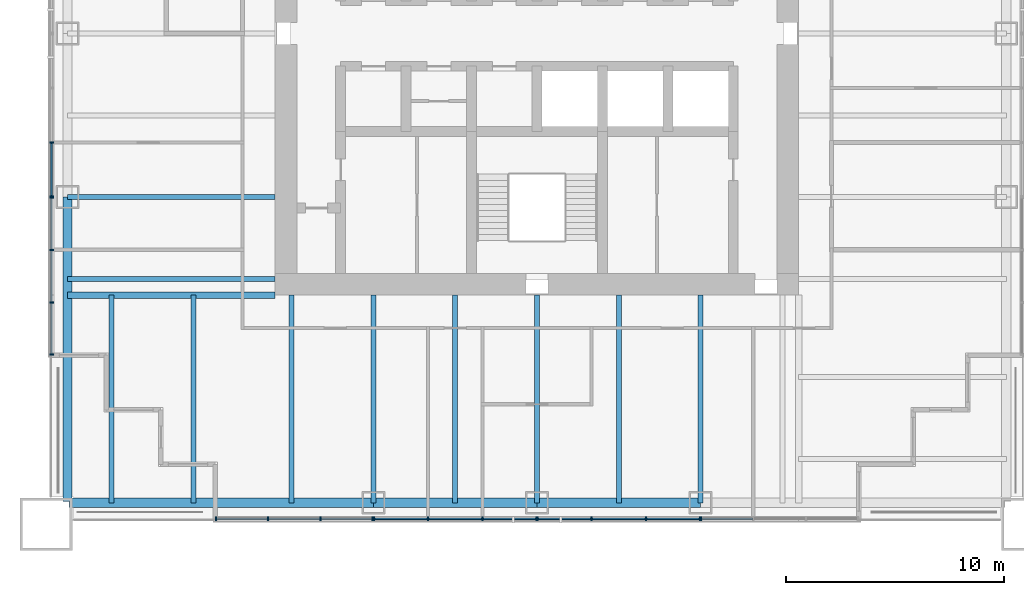
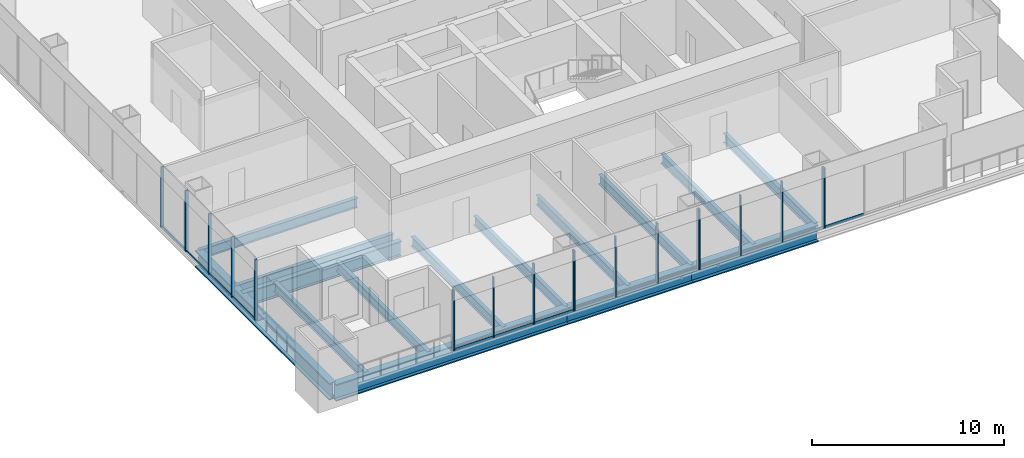
# One storey, part 2 of 13: 33 members, 15 beams, 6 elements without a shape of their own.
"""IFC4 building model written with IfcOpenShell, lengths in metres."""

from ifc_helpers import new_model, si_unit, direction, frame, origin, origin_2d, place, context, subcontext, project, spatial, rectangle, i_section, extrude, material, material_profile, profile_set, type_object, element, aggregate, save


model = new_model("IFC4")

# Units and contexts
model_context = context("Model", 3, precision=1e-05, world=origin(), true_north=direction((0.0, 1.0)))
body_context = subcontext(model_context, "Body", "Model", "MODEL_VIEW")
ifc_project = project(units=[si_unit("LENGTHUNIT", "METRE"), si_unit("AREAUNIT", "SQUARE_METRE"), si_unit("VOLUMEUNIT", "CUBIC_METRE"), si_unit("PLANEANGLEUNIT", "RADIAN"), si_unit("MASSUNIT", "GRAM", prefix="KILO")], contexts=[model_context])

# Site, building, storey
site_placement = place(None, origin())
site = spatial("IfcSite", under=ifc_project, at=site_placement, CompositionType="ELEMENT")
building_placement = place(site_placement, origin())
building = spatial("IfcBuilding", under=site, at=building_placement, Name="Tarangal Relay Tower", CompositionType="ELEMENT")
storey_placement = place(building_placement, frame((0.0, 0.0, 197.89990234375)))
storey = spatial("IfcBuildingStorey", under=building, at=storey_placement, Name="L41", CompositionType="ELEMENT", Elevation=197.89990234375)

# Beams
ifc_material_1 = material(Name="Steel ASTM A992", Category="steel")
ifc_material_profile_1 = material_profile(ifc_material_1, i_section(OverallWidth=0.227783203125, OverallDepth=0.60205078125, WebThickness=0.010498046875, FlangeThickness=0.014892578125, at=origin_2d()), Name="W24X68")
ifc_profile_set_1 = profile_set([ifc_material_profile_1], Name="Steel ASTM A992")
beam_type_1 = type_object("IfcBeamType", Name="Corner beam W24X68", PredefinedType="JOIST", material=ifc_profile_set_1)
for number, where, z_axis, x_axis, name in (
    (1, (-15.75, -12.0, -0.450927734375), (0.0, -1.0, 0.0), (1.0, 0.0, 0.0), "Corner beam CB11 S L41"),
    (2, (-19.5, -12.0, -0.450927734375), (0.0, -1.0, 0.0), (1.0, 0.0, 0.0), "Corner beam CB11 S L41"),
):
    element("IfcBeam", number, at=place(storey_placement, frame(where, z_axis=z_axis, x_axis=x_axis)), inside=storey, type_object=beam_type_1, Name=name, PredefinedType="JOIST", context=body_context, shape_type="SweptSolid", body=[
        extrude(i_section(OverallWidth=0.227783203125, OverallDepth=0.60205078125, WebThickness=0.010498046875, FlangeThickness=0.014892578125, at=origin_2d()), origin(), (0.0, 0.0, 1.0), 9.514892578125),
    ])
ifc_material_profile_2 = material_profile(ifc_material_1, i_section(OverallWidth=0.307373046875, OverallDepth=0.9423828125, WebThickness=0.022216796875, FlangeThickness=0.039794921875, at=origin_2d()), Name="W36X232")
ifc_profile_set_2 = profile_set([ifc_material_profile_2], Name="Steel ASTM A992")
beam_type_2 = type_object("IfcBeamType", Name="Corner girder W36X232", PredefinedType="BEAM", material=ifc_profile_set_2)
beam_placement = place(storey_placement, frame((-12.0, -12.0, -0.62109375), z_axis=(-1.0, 0.0, 0.0), x_axis=(0.0, -1.0, 0.0)))
element("IfcBeam", 3, at=beam_placement, inside=storey, type_object=beam_type_2, Name="Corner girder CG4 S L41", PredefinedType="BEAM", context=body_context, shape_type="SweptSolid", body=[
    extrude(i_section(OverallWidth=0.307373046875, OverallDepth=0.9423828125, WebThickness=0.022216796875, FlangeThickness=0.039794921875, at=origin_2d()), origin(), (0.0, 0.0, 1.0), 9.514892578125),
])
ifc_material_profile_3 = material_profile(ifc_material_1, i_section(OverallWidth=0.41650390625, OverallDepth=1.0693359375, WebThickness=0.0390625, FlangeThickness=0.070068359375, at=origin_2d()), Name="W40X503")
ifc_profile_set_3 = profile_set([ifc_material_profile_3], Name="Steel ASTM A992")
beam_type_3 = type_object("IfcBeamType", Name="Edge girder W40X503", PredefinedType="SPANDREL", material=ifc_profile_set_3)
for number, where, z_axis, x_axis, name in (
    (4, (7.5, -21.514892578125, -0.6845703125), (-1.0, 0.0, 0.0), (0.0, -1.0, 0.0), "Edge girder EG8 S L41"),
    (5, (0.0, -21.514892578125, -0.6845703125), (-1.0, 0.0, 0.0), (0.0, -1.0, 0.0), "Edge girder EG8 S L41"),
):
    element("IfcBeam", number, at=place(storey_placement, frame(where, z_axis=z_axis, x_axis=x_axis)), inside=storey, type_object=beam_type_3, Name=name, PredefinedType="SPANDREL", context=body_context, shape_type="SweptSolid", body=[
        extrude(i_section(OverallWidth=0.41650390625, OverallDepth=1.0693359375, WebThickness=0.0390625, FlangeThickness=0.070068359375, at=origin_2d()), origin(), (0.0, 0.0, 1.0), 7.5),
    ])
for number, where, z_axis, x_axis, name in (
    (6, (-7.5, -21.514892578125, -0.6845703125), (-1.0, 0.0, 0.0), (0.0, -1.0, 0.0), "Edge girder EG8 S L41"),
    (7, (-21.514892578125, -21.449951171875, -0.6845703125), (0.0, 1.0, 0.0), (-1.0, 0.0, 0.0), "Edge girder EG8 W L41"),
):
    element("IfcBeam", number, at=place(storey_placement, frame(where, z_axis=z_axis, x_axis=x_axis)), inside=storey, type_object=beam_type_3, Name=name, PredefinedType="SPANDREL", context=body_context, shape_type="SweptSolid", body=[
        extrude(i_section(OverallWidth=0.41650390625, OverallDepth=1.0693359375, WebThickness=0.0390625, FlangeThickness=0.070068359375, at=origin_2d()), origin(), (0.0, 0.0, 1.0), 13.949951171875),
    ])
ifc_material_profile_4 = material_profile(ifc_material_1, i_section(OverallWidth=0.22900390625, OverallDepth=0.612060546875, WebThickness=0.011962890625, FlangeThickness=0.01953125, at=origin_2d()), Name="W24X84")
ifc_profile_set_4 = profile_set([ifc_material_profile_4], Name="Steel ASTM A992")
beam_type_4 = type_object("IfcBeamType", Name="Floor beam W24X84", PredefinedType="BEAM", material=ifc_profile_set_4)
for number, where, z_axis, x_axis, name in (
    (8, (7.5, -12.0, -0.455810546875), (0.0, -1.0, 0.0), (1.0, 0.0, 0.0), "Floor beam RB12 S L41"),
    (9, (3.75, -12.0, -0.455810546875), (0.0, -1.0, 0.0), (1.0, 0.0, 0.0), "Floor beam RB12 S L41"),
    (10, (0.0, -12.0, -0.455810546875), (0.0, -1.0, 0.0), (1.0, 0.0, 0.0), "Floor beam RB12 S L41"),
    (11, (-3.75, -12.0, -0.455810546875), (0.0, -1.0, 0.0), (1.0, 0.0, 0.0), "Floor beam RB12 S L41"),
    (12, (-7.5, -12.0, -0.455810546875), (0.0, -1.0, 0.0), (1.0, 0.0, 0.0), "Floor beam RB12 S L41"),
    (13, (-11.25, -12.0, -0.455810546875), (0.0, -1.0, 0.0), (1.0, 0.0, 0.0), "Floor beam RB12 S L41"),
    (14, (-12.0, -11.25, -0.455810546875), (-1.0, 0.0, 0.0), (0.0, -1.0, 0.0), "Floor beam RB12 W L41"),
    (15, (-12.0, -7.5, -0.455810546875), (-1.0, 0.0, 0.0), (0.0, -1.0, 0.0), "Floor beam RB12 W L41"),
):
    element("IfcBeam", number, at=place(storey_placement, frame(where, z_axis=z_axis, x_axis=x_axis)), inside=storey, type_object=beam_type_4, Name=name, PredefinedType="BEAM", context=body_context, shape_type="SweptSolid", body=[
        extrude(i_section(OverallWidth=0.22900390625, OverallDepth=0.612060546875, WebThickness=0.011962890625, FlangeThickness=0.01953125, at=origin_2d()), origin(), (0.0, 0.0, 1.0), 9.514892578125),
    ])

# Curtain wall, member
ifc_material_2 = material(Name="Unitised curtain wall, dark glass and black aluminium", Category="aluminium")
curtain_wall_type_1 = type_object("IfcCurtainWallType", Name="Curtain wall CW-A", PredefinedType="USERDEFINED", material=ifc_material_2)
curtain_wall_1_placement = place(storey_placement, origin())
curtain_wall_1 = element("IfcCurtainWall", 16, at=curtain_wall_1_placement, inside=storey, type_object=curtain_wall_type_1, Name="Curtain wall CW-A S facade L41", ObjectType="UNITISED CURTAIN WALL", PredefinedType="USERDEFINED")
ifc_material_3 = material(Name="Black anodised aluminium mullion", Category="aluminium")
ifc_material_profile_5 = material_profile(ifc_material_3, rectangle(XDim=0.175048828125, YDim=0.06494140625, at=origin_2d()), Name="CW-AM 65X175")
ifc_profile_set_5 = profile_set([ifc_material_profile_5], Name="Black anodised aluminium mullion")
member_type_1 = type_object("IfcMemberType", Name="Mullion CW-A 65 x 175", PredefinedType="MULLION", material=ifc_profile_set_5)
member_1_placement = place(storey_placement, frame((7.532470703125, -22.25, 0.0), z_axis=(0.0, 0.0, 1.0), x_axis=(0.0, -1.0, 0.0)))
member_1 = element("IfcMember", 17, at=member_1_placement, type_object=member_type_1, Name="CW-A mullion 4", PredefinedType="MULLION", context=body_context, shape_type="SweptSolid", body=[
    extrude(rectangle(XDim=0.175048828125, YDim=0.06494140625, at=origin_2d()), origin(), (0.0, 0.0, 1.0), 3.85009765625),
])

# Curtain wall, members
curtain_wall_2_placement = place(storey_placement, origin())
curtain_wall_2 = element("IfcCurtainWall", 18, at=curtain_wall_2_placement, inside=storey, type_object=curtain_wall_type_1, Name="Curtain wall CW-A S facade L41", ObjectType="UNITISED CURTAIN WALL", PredefinedType="USERDEFINED")
member_2_placement = place(storey_placement, frame((-7.532470703125, -22.25, 0.0), z_axis=(0.0, 0.0, 1.0), x_axis=(0.0, -1.0, 0.0)))
member_2 = element("IfcMember", 19, at=member_2_placement, type_object=member_type_1, Name="CW-A mullion 1", PredefinedType="MULLION", context=body_context, shape_type="SweptSolid", body=[
    extrude(rectangle(XDim=0.175048828125, YDim=0.06494140625, at=origin_2d()), origin(), (0.0, 0.0, 1.0), 3.85009765625),
])
member_3_placement = place(storey_placement, frame((-9.916748046875, -22.25, 0.0), z_axis=(0.0, 0.0, 1.0), x_axis=(0.0, -1.0, 0.0)))
member_3 = element("IfcMember", 20, at=member_3_placement, type_object=member_type_1, Name="CW-A mullion 2", PredefinedType="MULLION", context=body_context, shape_type="SweptSolid", body=[
    extrude(rectangle(XDim=0.175048828125, YDim=0.06494140625, at=origin_2d()), origin(), (0.0, 0.0, 1.0), 3.85009765625),
])
member_4_placement = place(storey_placement, frame((-12.333251953125, -22.25, 0.0), z_axis=(0.0, 0.0, 1.0), x_axis=(0.0, -1.0, 0.0)))
member_4 = element("IfcMember", 21, at=member_4_placement, type_object=member_type_1, Name="CW-A mullion 3", PredefinedType="MULLION", context=body_context, shape_type="SweptSolid", body=[
    extrude(rectangle(XDim=0.175048828125, YDim=0.06494140625, at=origin_2d()), origin(), (0.0, 0.0, 1.0), 3.85009765625),
])
member_5_placement = place(storey_placement, frame((-14.717529296875, -22.25, 0.0), z_axis=(0.0, 0.0, 1.0), x_axis=(0.0, -1.0, 0.0)))
member_5 = element("IfcMember", 22, at=member_5_placement, type_object=member_type_1, Name="CW-A mullion 4", PredefinedType="MULLION", context=body_context, shape_type="SweptSolid", body=[
    extrude(rectangle(XDim=0.175048828125, YDim=0.06494140625, at=origin_2d()), origin(), (0.0, 0.0, 1.0), 3.85009765625),
])

curtain_wall_3_placement = place(storey_placement, origin())
curtain_wall_3 = element("IfcCurtainWall", 23, at=curtain_wall_3_placement, inside=storey, type_object=curtain_wall_type_1, Name="Curtain wall CW-A W facade L41", ObjectType="UNITISED CURTAIN WALL", PredefinedType="USERDEFINED")
member_6_placement = place(storey_placement, frame((-22.25, -14.717529296875, 0.0), z_axis=(0.0, 0.0, 1.0), x_axis=(-1.0, 0.0, 0.0)))
member_6 = element("IfcMember", 24, at=member_6_placement, type_object=member_type_1, Name="CW-A mullion 1", PredefinedType="MULLION", context=body_context, shape_type="SweptSolid", body=[
    extrude(rectangle(XDim=0.175048828125, YDim=0.06494140625, at=origin_2d()), origin(), (0.0, 0.0, 1.0), 3.85009765625),
])
member_7_placement = place(storey_placement, frame((-22.25, -12.333251953125, 0.0), z_axis=(0.0, 0.0, 1.0), x_axis=(-1.0, 0.0, 0.0)))
member_7 = element("IfcMember", 25, at=member_7_placement, type_object=member_type_1, Name="CW-A mullion 2", PredefinedType="MULLION", context=body_context, shape_type="SweptSolid", body=[
    extrude(rectangle(XDim=0.175048828125, YDim=0.06494140625, at=origin_2d()), origin(), (0.0, 0.0, 1.0), 3.85009765625),
])
member_8_placement = place(storey_placement, frame((-22.25, -9.916748046875, 0.0), z_axis=(0.0, 0.0, 1.0), x_axis=(-1.0, 0.0, 0.0)))
member_8 = element("IfcMember", 26, at=member_8_placement, type_object=member_type_1, Name="CW-A mullion 3", PredefinedType="MULLION", context=body_context, shape_type="SweptSolid", body=[
    extrude(rectangle(XDim=0.175048828125, YDim=0.06494140625, at=origin_2d()), origin(), (0.0, 0.0, 1.0), 3.85009765625),
])
member_9_placement = place(storey_placement, frame((-22.25, -7.532470703125, 0.0), z_axis=(0.0, 0.0, 1.0), x_axis=(-1.0, 0.0, 0.0)))
member_9 = element("IfcMember", 27, at=member_9_placement, type_object=member_type_1, Name="CW-A mullion 4", PredefinedType="MULLION", context=body_context, shape_type="SweptSolid", body=[
    extrude(rectangle(XDim=0.175048828125, YDim=0.06494140625, at=origin_2d()), origin(), (0.0, 0.0, 1.0), 3.85009765625),
])

ifc_material_4 = material(Name="Unitised curtain wall frame, black aluminium, with metal clad infill walls", Category="aluminium")
curtain_wall_type_2 = type_object("IfcCurtainWallType", Name="Curtain wall CW-AO", PredefinedType="USERDEFINED", material=ifc_material_4)
curtain_wall_4_placement = place(storey_placement, origin())
curtain_wall_4 = element("IfcCurtainWall", 28, at=curtain_wall_4_placement, inside=storey, type_object=curtain_wall_type_2, Name="Curtain wall CW-AO S facade L41", ObjectType="UNITISED CURTAIN WALL", PredefinedType="USERDEFINED")
ifc_material_profile_6 = material_profile(ifc_material_3, rectangle(XDim=0.175048828125, YDim=0.06494140625, at=origin_2d()), Name="CW-AOM 65X175")
ifc_profile_set_6 = profile_set([ifc_material_profile_6], Name="Black anodised aluminium mullion")
member_type_2 = type_object("IfcMemberType", Name="Mullion CW-AO 65 x 175", PredefinedType="MULLION", material=ifc_profile_set_6)
member_10_placement = place(storey_placement, frame((7.467529296875, -22.25, 0.0), z_axis=(0.0, 0.0, 1.0), x_axis=(0.0, -1.0, 0.0)))
member_10 = element("IfcMember", 29, at=member_10_placement, type_object=member_type_2, Name="CW-AO mullion 1", PredefinedType="MULLION", context=body_context, shape_type="SweptSolid", body=[
    extrude(rectangle(XDim=0.175048828125, YDim=0.06494140625, at=origin_2d()), origin(), (0.0, 0.0, 1.0), 3.85009765625),
])
member_11_placement = place(storey_placement, frame((5.0, -22.25, 0.0), z_axis=(0.0, 0.0, 1.0), x_axis=(0.0, -1.0, 0.0)))
member_11 = element("IfcMember", 30, at=member_11_placement, type_object=member_type_2, Name="CW-AO mullion 2", PredefinedType="MULLION", context=body_context, shape_type="SweptSolid", body=[
    extrude(rectangle(XDim=0.175048828125, YDim=0.06494140625, at=origin_2d()), origin(), (0.0, 0.0, 1.0), 3.85009765625),
])
member_12_placement = place(storey_placement, frame((2.5, -22.25, 0.0), z_axis=(0.0, 0.0, 1.0), x_axis=(0.0, -1.0, 0.0)))
member_12 = element("IfcMember", 31, at=member_12_placement, type_object=member_type_2, Name="CW-AO mullion 3", PredefinedType="MULLION", context=body_context, shape_type="SweptSolid", body=[
    extrude(rectangle(XDim=0.175048828125, YDim=0.06494140625, at=origin_2d()), origin(), (0.0, 0.0, 1.0), 3.85009765625),
])
member_13_placement = place(storey_placement, frame((0.032470703125, -22.25, 0.0), z_axis=(0.0, 0.0, 1.0), x_axis=(0.0, -1.0, 0.0)))
member_13 = element("IfcMember", 32, at=member_13_placement, type_object=member_type_2, Name="CW-AO mullion 4", PredefinedType="MULLION", context=body_context, shape_type="SweptSolid", body=[
    extrude(rectangle(XDim=0.175048828125, YDim=0.06494140625, at=origin_2d()), origin(), (0.0, 0.0, 1.0), 3.85009765625),
])

curtain_wall_5_placement = place(storey_placement, origin())
curtain_wall_5 = element("IfcCurtainWall", 33, at=curtain_wall_5_placement, inside=storey, type_object=curtain_wall_type_2, Name="Curtain wall CW-AO S facade L41", ObjectType="UNITISED CURTAIN WALL", PredefinedType="USERDEFINED")
member_14_placement = place(storey_placement, frame((-0.032470703125, -22.25, 0.0), z_axis=(0.0, 0.0, 1.0), x_axis=(0.0, -1.0, 0.0)))
member_14 = element("IfcMember", 34, at=member_14_placement, type_object=member_type_2, Name="CW-AO mullion 1", PredefinedType="MULLION", context=body_context, shape_type="SweptSolid", body=[
    extrude(rectangle(XDim=0.175048828125, YDim=0.06494140625, at=origin_2d()), origin(), (0.0, 0.0, 1.0), 3.85009765625),
])
member_15_placement = place(storey_placement, frame((-2.5, -22.25, 0.0), z_axis=(0.0, 0.0, 1.0), x_axis=(0.0, -1.0, 0.0)))
member_15 = element("IfcMember", 35, at=member_15_placement, type_object=member_type_2, Name="CW-AO mullion 2", PredefinedType="MULLION", context=body_context, shape_type="SweptSolid", body=[
    extrude(rectangle(XDim=0.175048828125, YDim=0.06494140625, at=origin_2d()), origin(), (0.0, 0.0, 1.0), 3.85009765625),
])
member_16_placement = place(storey_placement, frame((-5.0, -22.25, 0.0), z_axis=(0.0, 0.0, 1.0), x_axis=(0.0, -1.0, 0.0)))
member_16 = element("IfcMember", 36, at=member_16_placement, type_object=member_type_2, Name="CW-AO mullion 3", PredefinedType="MULLION", context=body_context, shape_type="SweptSolid", body=[
    extrude(rectangle(XDim=0.175048828125, YDim=0.06494140625, at=origin_2d()), origin(), (0.0, 0.0, 1.0), 3.85009765625),
])
member_17_placement = place(storey_placement, frame((-7.467529296875, -22.25, 0.0), z_axis=(0.0, 0.0, 1.0), x_axis=(0.0, -1.0, 0.0)))
member_17 = element("IfcMember", 37, at=member_17_placement, type_object=member_type_2, Name="CW-AO mullion 4", PredefinedType="MULLION", context=body_context, shape_type="SweptSolid", body=[
    extrude(rectangle(XDim=0.175048828125, YDim=0.06494140625, at=origin_2d()), origin(), (0.0, 0.0, 1.0), 3.85009765625),
])

curtain_wall_6_placement = place(storey_placement, origin())
curtain_wall_6 = element("IfcCurtainWall", 38, at=curtain_wall_6_placement, inside=storey, type_object=curtain_wall_type_2, Name="Curtain wall CW-AO W facade L41", ObjectType="UNITISED CURTAIN WALL", PredefinedType="USERDEFINED")
member_18_placement = place(storey_placement, frame((-22.25, -7.467529296875, 0.0), z_axis=(0.0, 0.0, 1.0), x_axis=(-1.0, 0.0, 0.0)))
member_18 = element("IfcMember", 39, at=member_18_placement, type_object=member_type_2, Name="CW-AO mullion 1", PredefinedType="MULLION", context=body_context, shape_type="SweptSolid", body=[
    extrude(rectangle(XDim=0.175048828125, YDim=0.06494140625, at=origin_2d()), origin(), (0.0, 0.0, 1.0), 3.85009765625),
])
member_19_placement = place(storey_placement, frame((-22.25, -5.0, 0.0), z_axis=(0.0, 0.0, 1.0), x_axis=(-1.0, 0.0, 0.0)))
member_19 = element("IfcMember", 40, at=member_19_placement, type_object=member_type_2, Name="CW-AO mullion 2", PredefinedType="MULLION", context=body_context, shape_type="SweptSolid", body=[
    extrude(rectangle(XDim=0.175048828125, YDim=0.06494140625, at=origin_2d()), origin(), (0.0, 0.0, 1.0), 3.85009765625),
])

# Member
ifc_material_5 = material(Name="Black anodised aluminium transom", Category="aluminium")
ifc_material_profile_7 = material_profile(ifc_material_5, rectangle(XDim=0.06494140625, YDim=0.14990234375, at=origin_2d()), Name="CW-AT 65X150")
ifc_profile_set_7 = profile_set([ifc_material_profile_7], Name="Black anodised aluminium transom")
member_type_3 = type_object("IfcMemberType", Name="Transom CW-A 65 x 150", PredefinedType="USERDEFINED", material=ifc_profile_set_7)
member_20_placement = place(storey_placement, frame((9.88427734375, -22.25, 0.03271484375), z_axis=(-1.0, 0.0, 0.0), x_axis=(0.0, -1.0, 0.0)))
member_20 = element("IfcMember", 41, at=member_20_placement, type_object=member_type_3, Name="CW-A transom 3.1", ObjectType="TRANSOM", PredefinedType="USERDEFINED", context=body_context, shape_type="SweptSolid", body=[
    extrude(rectangle(XDim=0.06494140625, YDim=0.14990234375, at=origin_2d()), origin(), (0.0, 0.0, 1.0), 2.3193359375),
])

aggregate(curtain_wall_1, [member_1, member_20])

member_21_placement = place(storey_placement, frame((-7.56494140625, -22.25, 0.03271484375), z_axis=(-1.0, 0.0, 0.0), x_axis=(0.0, -1.0, 0.0)))
member_21 = element("IfcMember", 42, at=member_21_placement, type_object=member_type_3, Name="CW-A transom 1.1", ObjectType="TRANSOM", PredefinedType="USERDEFINED", context=body_context, shape_type="SweptSolid", body=[
    extrude(rectangle(XDim=0.06494140625, YDim=0.14990234375, at=origin_2d()), origin(), (0.0, 0.0, 1.0), 2.3193359375),
])

member_22_placement = place(storey_placement, frame((-9.94921875, -22.25, 0.03271484375), z_axis=(-1.0, 0.0, 0.0), x_axis=(0.0, -1.0, 0.0)))
member_22 = element("IfcMember", 43, at=member_22_placement, type_object=member_type_3, Name="CW-A transom 2.1", ObjectType="TRANSOM", PredefinedType="USERDEFINED", context=body_context, shape_type="SweptSolid", body=[
    extrude(rectangle(XDim=0.06494140625, YDim=0.14990234375, at=origin_2d()), origin(), (0.0, 0.0, 1.0), 2.3515625),
])

member_23_placement = place(storey_placement, frame((-12.36572265625, -22.25, 0.03271484375), z_axis=(-1.0, 0.0, 0.0), x_axis=(0.0, -1.0, 0.0)))
member_23 = element("IfcMember", 44, at=member_23_placement, type_object=member_type_3, Name="CW-A transom 3.1", ObjectType="TRANSOM", PredefinedType="USERDEFINED", context=body_context, shape_type="SweptSolid", body=[
    extrude(rectangle(XDim=0.06494140625, YDim=0.14990234375, at=origin_2d()), origin(), (0.0, 0.0, 1.0), 2.3193359375),
])

aggregate(curtain_wall_2, [member_2, member_3, member_4, member_5, member_21, member_22, member_23])

member_24_placement = place(storey_placement, frame((-22.25, -14.68505859375, 0.03271484375), z_axis=(0.0, 1.0, 0.0), x_axis=(-1.0, 0.0, 0.0)))
member_24 = element("IfcMember", 45, at=member_24_placement, type_object=member_type_3, Name="CW-A transom 1.1", ObjectType="TRANSOM", PredefinedType="USERDEFINED", context=body_context, shape_type="SweptSolid", body=[
    extrude(rectangle(XDim=0.06494140625, YDim=0.14990234375, at=origin_2d()), origin(), (0.0, 0.0, 1.0), 2.3193359375),
])

member_25_placement = place(storey_placement, frame((-22.25, -12.30078125, 0.03271484375), z_axis=(0.0, 1.0, 0.0), x_axis=(-1.0, 0.0, 0.0)))
member_25 = element("IfcMember", 46, at=member_25_placement, type_object=member_type_3, Name="CW-A transom 2.1", ObjectType="TRANSOM", PredefinedType="USERDEFINED", context=body_context, shape_type="SweptSolid", body=[
    extrude(rectangle(XDim=0.06494140625, YDim=0.14990234375, at=origin_2d()), origin(), (0.0, 0.0, 1.0), 2.3515625),
])

member_26_placement = place(storey_placement, frame((-22.25, -9.88427734375, 0.03271484375), z_axis=(0.0, 1.0, 0.0), x_axis=(-1.0, 0.0, 0.0)))
member_26 = element("IfcMember", 47, at=member_26_placement, type_object=member_type_3, Name="CW-A transom 3.1", ObjectType="TRANSOM", PredefinedType="USERDEFINED", context=body_context, shape_type="SweptSolid", body=[
    extrude(rectangle(XDim=0.06494140625, YDim=0.14990234375, at=origin_2d()), origin(), (0.0, 0.0, 1.0), 2.3193359375),
])

aggregate(curtain_wall_3, [member_6, member_7, member_8, member_9, member_24, member_25, member_26])

ifc_material_profile_8 = material_profile(ifc_material_5, rectangle(XDim=0.06494140625, YDim=0.14990234375, at=origin_2d()), Name="CW-AOT 65X150")
ifc_profile_set_8 = profile_set([ifc_material_profile_8], Name="Black anodised aluminium transom")
member_type_4 = type_object("IfcMemberType", Name="Transom CW-AO 65 x 150", PredefinedType="USERDEFINED", material=ifc_profile_set_8)
member_27_placement = place(storey_placement, frame((7.43505859375, -22.25, 0.03271484375), z_axis=(-1.0, 0.0, 0.0), x_axis=(0.0, -1.0, 0.0)))
member_27 = element("IfcMember", 48, at=member_27_placement, type_object=member_type_4, Name="CW-AO transom 1.1", ObjectType="TRANSOM", PredefinedType="USERDEFINED", context=body_context, shape_type="SweptSolid", body=[
    extrude(rectangle(XDim=0.06494140625, YDim=0.14990234375, at=origin_2d()), origin(), (0.0, 0.0, 1.0), 2.402587890625),
])

member_28_placement = place(storey_placement, frame((4.967529296875, -22.25, 0.03271484375), z_axis=(-1.0, 0.0, 0.0), x_axis=(0.0, -1.0, 0.0)))
member_28 = element("IfcMember", 49, at=member_28_placement, type_object=member_type_4, Name="CW-AO transom 2.1", ObjectType="TRANSOM", PredefinedType="USERDEFINED", context=body_context, shape_type="SweptSolid", body=[
    extrude(rectangle(XDim=0.06494140625, YDim=0.14990234375, at=origin_2d()), origin(), (0.0, 0.0, 1.0), 2.43505859375),
])

member_29_placement = place(storey_placement, frame((2.467529296875, -22.25, 0.03271484375), z_axis=(-1.0, 0.0, 0.0), x_axis=(0.0, -1.0, 0.0)))
member_29 = element("IfcMember", 50, at=member_29_placement, type_object=member_type_4, Name="CW-AO transom 3.1", ObjectType="TRANSOM", PredefinedType="USERDEFINED", context=body_context, shape_type="SweptSolid", body=[
    extrude(rectangle(XDim=0.06494140625, YDim=0.14990234375, at=origin_2d()), origin(), (0.0, 0.0, 1.0), 2.402587890625),
])

aggregate(curtain_wall_4, [member_10, member_11, member_12, member_13, member_27, member_28, member_29])

member_30_placement = place(storey_placement, frame((-0.06494140625, -22.25, 0.03271484375), z_axis=(-1.0, 0.0, 0.0), x_axis=(0.0, -1.0, 0.0)))
member_30 = element("IfcMember", 51, at=member_30_placement, type_object=member_type_4, Name="CW-AO transom 1.1", ObjectType="TRANSOM", PredefinedType="USERDEFINED", context=body_context, shape_type="SweptSolid", body=[
    extrude(rectangle(XDim=0.06494140625, YDim=0.14990234375, at=origin_2d()), origin(), (0.0, 0.0, 1.0), 2.402587890625),
])

member_31_placement = place(storey_placement, frame((-2.532470703125, -22.25, 0.03271484375), z_axis=(-1.0, 0.0, 0.0), x_axis=(0.0, -1.0, 0.0)))
member_31 = element("IfcMember", 52, at=member_31_placement, type_object=member_type_4, Name="CW-AO transom 2.1", ObjectType="TRANSOM", PredefinedType="USERDEFINED", context=body_context, shape_type="SweptSolid", body=[
    extrude(rectangle(XDim=0.06494140625, YDim=0.14990234375, at=origin_2d()), origin(), (0.0, 0.0, 1.0), 2.43505859375),
])

member_32_placement = place(storey_placement, frame((-5.032470703125, -22.25, 0.03271484375), z_axis=(-1.0, 0.0, 0.0), x_axis=(0.0, -1.0, 0.0)))
member_32 = element("IfcMember", 53, at=member_32_placement, type_object=member_type_4, Name="CW-AO transom 3.1", ObjectType="TRANSOM", PredefinedType="USERDEFINED", context=body_context, shape_type="SweptSolid", body=[
    extrude(rectangle(XDim=0.06494140625, YDim=0.14990234375, at=origin_2d()), origin(), (0.0, 0.0, 1.0), 2.402587890625),
])

aggregate(curtain_wall_5, [member_14, member_15, member_16, member_17, member_30, member_31, member_32])

member_33_placement = place(storey_placement, frame((-22.25, -7.43505859375, 0.03271484375), z_axis=(0.0, 1.0, 0.0), x_axis=(-1.0, 0.0, 0.0)))
member_33 = element("IfcMember", 54, at=member_33_placement, type_object=member_type_4, Name="CW-AO transom 1.1", ObjectType="TRANSOM", PredefinedType="USERDEFINED", context=body_context, shape_type="SweptSolid", body=[
    extrude(rectangle(XDim=0.06494140625, YDim=0.14990234375, at=origin_2d()), origin(), (0.0, 0.0, 1.0), 2.402587890625),
])

aggregate(curtain_wall_6, [member_18, member_19, member_33])

save(model, "model.ifc")
